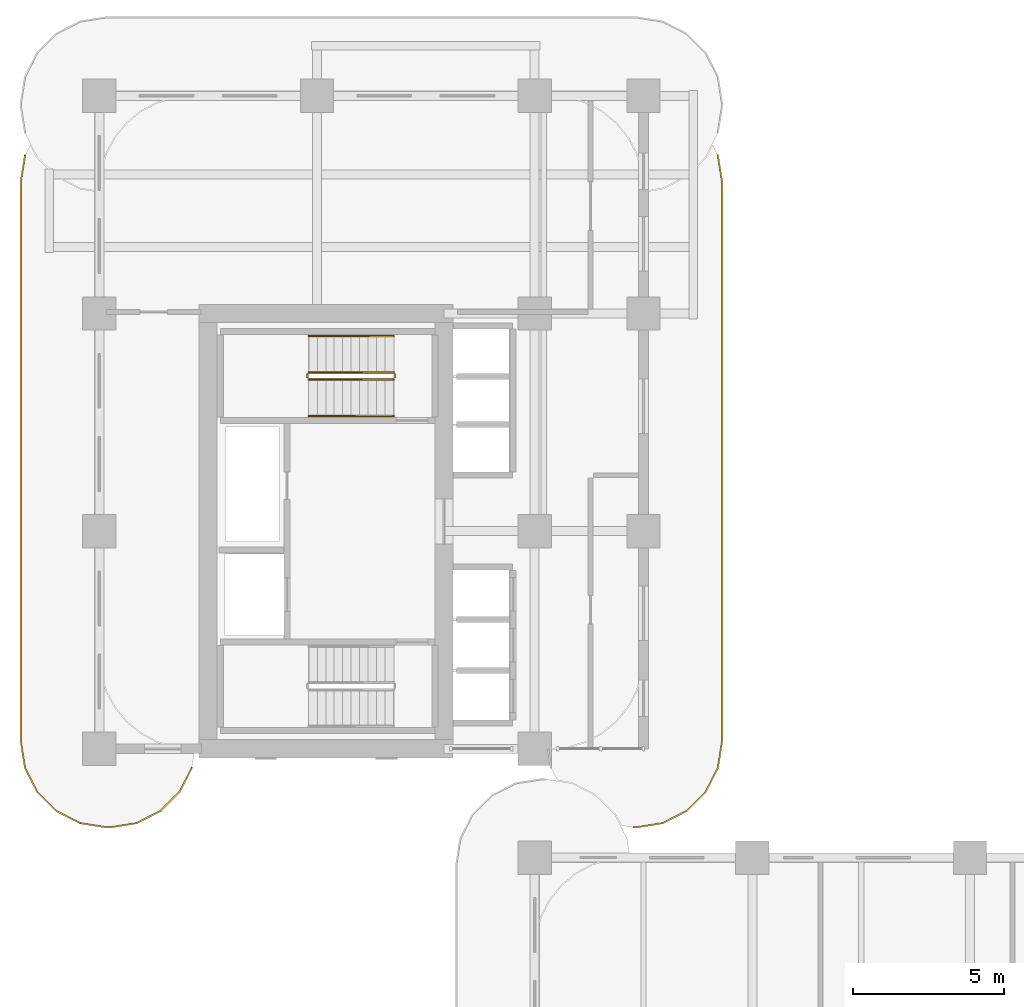
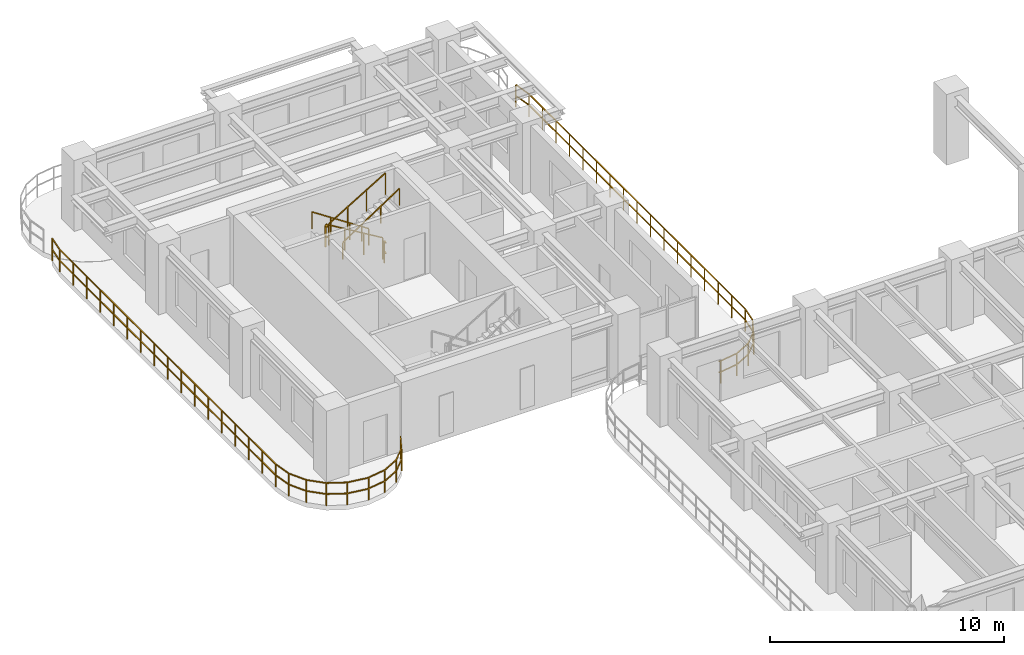
# One storey, part 18 of 19: 8 railings.
"""IFC4 building model written with IfcOpenShell, lengths in metres."""

import ifcopenshell
import ifcopenshell.guid

model = None  # the IFC model being written
_history = None  # IfcOwnerHistory: only IFC2X3 demands one
_inside = {}  # id of a spatial element -> (the spatial element, [elements in it])
_under = {}  # id of a project, library or spatial element -> (it, [spatial elements below it])
_declared = {}  # id of a project -> (the project, [libraries it declares])
_typed = {}  # id of a type object -> (the type object, [elements of that type])
_made_of = {}  # id of a material, layer set ... -> (it, [elements and type objects made of it])


def new_model(schema):
    """Start an empty IFC model of exactly this schema.

    Asked for "IFC4X3", IfcOpenShell would pick the latest addendum, in which some entities
    have other attributes; the version numbers below select the first issue.
    IFC2X3 requires an IfcOwnerHistory on every rooted entity: one is made here for all.
    """
    global model, _history
    if schema == "IFC4X3":
        model = ifcopenshell.file(schema_version=(4, 3, 0, 0))
    else:
        model = ifcopenshell.file(schema=schema)
    _inside.clear()
    _under.clear()
    _declared.clear()
    _typed.clear()
    _made_of.clear()
    _history = None
    if model.schema == "IFC2X3":
        org = make("IfcOrganization", Name="unknown")
        user = make(
            "IfcPersonAndOrganization",
            ThePerson=make("IfcPerson", FamilyName="unknown"),
            TheOrganization=org,
        )
        app = make(
            "IfcApplication",
            ApplicationDeveloper=org,
            Version="unknown",
            ApplicationFullName="unknown",
            ApplicationIdentifier="unknown",
        )
        _history = make(
            "IfcOwnerHistory",
            OwningUser=user,
            OwningApplication=app,
            ChangeAction="ADDED",
            CreationDate=0,
        )
    return model


def make(cls, **values):
    """One entity of the class cls with the attributes given. An attribute that is None is left unset."""
    return model.create_entity(
        cls, **{name: value for name, value in values.items() if value is not None}
    )


def rooted(cls, **values):
    """An entity with a GlobalId (a new one), such as an element, a storey or a relation."""
    return make(cls, GlobalId=ifcopenshell.guid.new(), OwnerHistory=_history, **values)


def si_unit(unit_type, name, prefix=None):
    """IfcSIUnit, for example si_unit("LENGTHUNIT", "METRE", prefix="MILLI")."""
    return make("IfcSIUnit", UnitType=unit_type, Prefix=prefix, Name=name)


def derived_unit(unit_type, elements):
    """IfcDerivedUnit: a product of units, each with its exponent."""
    return make(
        "IfcDerivedUnit",
        Elements=[
            make("IfcDerivedUnitElement", Unit=unit, Exponent=power)
            for unit, power in elements
        ],
        UnitType=unit_type,
    )


def assignment(units):
    """IfcUnitAssignment: the units of a project."""
    return None if units is None else make("IfcUnitAssignment", Units=units)


def point(xyz):
    """IfcCartesianPoint."""
    return None if xyz is None else make("IfcCartesianPoint", Coordinates=xyz)


def direction(xyz):
    """IfcDirection."""
    return None if xyz is None else make("IfcDirection", DirectionRatios=xyz)


def frame(location, z_axis=None, x_axis=None):
    """IfcAxis2Placement3D, a coordinate frame: its origin and axes. An axis left out is left unset."""
    return make(
        "IfcAxis2Placement3D",
        Location=point(location),
        Axis=direction(z_axis),
        RefDirection=direction(x_axis),
    )


def frame_2d(location, x_axis=None):
    """IfcAxis2Placement2D, a coordinate frame in the plane: its origin and x axis."""
    return make(
        "IfcAxis2Placement2D", Location=point(location), RefDirection=direction(x_axis)
    )


def origin():
    """The frame at (0, 0, 0) with its axes left unset."""
    return frame((0.0, 0.0, 0.0))


def origin_2d():
    """The frame at (0, 0) in the plane with its x axis left unset."""
    return frame_2d((0.0, 0.0))


def place(relative_to, where):
    """IfcLocalPlacement: puts the frame where relative to a parent placement (None: the world)."""
    return make(
        "IfcLocalPlacement", PlacementRelTo=relative_to, RelativePlacement=where
    )


def context(
    kind, dimensions, precision=None, world=None, true_north=None, identifier=None
):
    """IfcGeometricRepresentationContext, for example the 3D "Model" context."""
    return make(
        "IfcGeometricRepresentationContext",
        ContextIdentifier=identifier,
        ContextType=kind,
        CoordinateSpaceDimension=dimensions,
        Precision=precision,
        WorldCoordinateSystem=world,
        TrueNorth=true_north,
    )


def subcontext(parent, identifier, kind, view, scale=None):
    """IfcGeometricRepresentationSubContext, for example "Body" below "Model"."""
    return make(
        "IfcGeometricRepresentationSubContext",
        ContextIdentifier=identifier,
        ContextType=kind,
        ParentContext=parent,
        TargetScale=scale,
        TargetView=view,
    )


def project(units=None, contexts=None):
    """IfcProject with its units and contexts."""
    return rooted(
        "IfcProject",
        Name="project",
        RepresentationContexts=contexts,
        UnitsInContext=assignment(units),
    )


def spatial(cls, under=None, at=None, **own):
    """A site, building, storey or space (cls), placed at a placement, below another one or the project."""
    s = rooted(cls, ObjectPlacement=at, **own)
    if under is not None:
        _under.setdefault(under.id(), (under, []))[1].append(s)
    return s


def profile(cls, at=None, kind="AREA", **sizes):
    """A parametric profile (cls). Its sizes go by their IFC names, for example OverallWidth=200.0."""
    return make(cls, ProfileType=kind, Position=at, **sizes)


def rectangle(**sizes):
    """IfcRectangleProfileDef."""
    return profile("IfcRectangleProfileDef", **sizes)


def extrude(swept, where, along, depth):
    """IfcExtrudedAreaSolid: the profile swept, set in the frame where, extruded along a direction by depth."""
    return make(
        "IfcExtrudedAreaSolid",
        SweptArea=swept,
        Position=where,
        ExtrudedDirection=direction(along),
        Depth=depth,
    )


def shape(context_of_items, identifier, shape_type, items):
    """IfcShapeRepresentation: the items that make up one representation, for example the "Body"."""
    return make(
        "IfcShapeRepresentation",
        ContextOfItems=context_of_items,
        RepresentationIdentifier=identifier,
        RepresentationType=shape_type,
        Items=items,
    )


def material(Name=None, Category=None):
    """IfcMaterial."""
    return make("IfcMaterial", Name=Name, Category=Category)


def made_of(thing, what):
    """Note that an element or type object is made of a material, layer set ...; save() writes the relation."""
    if what is not None:
        _made_of.setdefault(what.id(), (what, []))[1].append(thing)
    return thing


def type_object(cls, material=None, **own):
    """A type object (cls), such as IfcWallType, which elements share."""
    return made_of(rooted(cls, **own), material)


def element(
    cls,
    number,
    at=None,
    inside=None,
    cuts=None,
    type_object=None,
    material=None,
    context=None,
    identifier="Body",
    shape_type=None,
    held_by="IfcProductDefinitionShape",
    body=None,
    shapes=None,
    **own,
):
    """One element of the class cls, such as IfcWall. Its Tag is "e" and its number.

    at: its placement. inside: the storey or other place that contains it. cuts: it is an
    opening in that element (IfcRelVoidsElement). A single representation is given by context,
    identifier, shape_type and body (its items); several are given by shapes. held_by: the class
    of the entity that holds the representations. save() writes the other relations.
    """
    e = rooted(cls, Tag="e%d" % number, ObjectPlacement=at, **own)
    if body is not None:
        shapes = [shape(context, identifier, shape_type, body)]
    if shapes is not None:
        e.Representation = make(held_by, Representations=shapes)
    if inside is not None:
        _inside.setdefault(inside.id(), (inside, []))[1].append(e)
    if cuts is not None:
        rooted(
            "IfcRelVoidsElement", RelatingBuildingElement=cuts, RelatedOpeningElement=e
        )
    if type_object is not None:
        _typed.setdefault(type_object.id(), (type_object, []))[1].append(e)
    return made_of(e, material)


def aggregate(whole, parts):
    """IfcRelAggregates: a whole, such as a stair, and the parts it consists of."""
    return rooted("IfcRelAggregates", RelatingObject=whole, RelatedObjects=parts)


def save(model, path):
    """Write the relations noted so far, then the file.

    IfcRelAggregates (storeys below a building ...), IfcRelContainedInSpatialStructure (elements
    in a storey), IfcRelDefinesByType, IfcRelAssociatesMaterial and IfcRelDeclares: one each for
    every whole, place, type object, material and project.
    """
    for whole, parts in _under.values():
        aggregate(whole, parts)
    for where, things in _inside.values():
        rooted(
            "IfcRelContainedInSpatialStructure",
            RelatedElements=things,
            RelatingStructure=where,
        )
    for kind, things in _typed.values():
        rooted("IfcRelDefinesByType", RelatedObjects=things, RelatingType=kind)
    for what, things in _made_of.values():
        rooted("IfcRelAssociatesMaterial", RelatedObjects=things, RelatingMaterial=what)
    for by, libraries in _declared.values():
        rooted("IfcRelDeclares", RelatingContext=by, RelatedDefinitions=libraries)
    model.write(path)


model = new_model("IFC4")

# Units and contexts
model_context = context("Model", 3, precision=1e-05, world=origin(), true_north=direction((0.0, 1.0)))
body_context = subcontext(model_context, "Body", "Model", "MODEL_VIEW")
ifc_project = project(units=[si_unit("LENGTHUNIT", "METRE"), si_unit("AREAUNIT", "SQUARE_METRE"), si_unit("VOLUMEUNIT", "CUBIC_METRE"), si_unit("PLANEANGLEUNIT", "RADIAN"), si_unit("MASSUNIT", "GRAM", prefix="KILO"), si_unit("THERMODYNAMICTEMPERATUREUNIT", "KELVIN"), si_unit("POWERUNIT", "WATT"), derived_unit("THERMALTRANSMITTANCEUNIT", [(si_unit("POWERUNIT", "WATT"), 1), (si_unit("AREAUNIT", "SQUARE_METRE"), -1), (si_unit("THERMODYNAMICTEMPERATUREUNIT", "KELVIN"), -1)])], contexts=[model_context])

# Site, building, storey
site_placement = place(None, origin())
site = spatial("IfcSite", under=ifc_project, at=site_placement, CompositionType="ELEMENT")
building_placement = place(site_placement, origin())
building = spatial("IfcBuilding", under=site, at=building_placement, Name="Zahravan Archway Hotel and Residences", CompositionType="ELEMENT")
storey_placement = place(building_placement, frame((0.0, 0.0, 62.0)))
storey = spatial("IfcBuildingStorey", under=building, at=storey_placement, Name="L14", CompositionType="ELEMENT", Elevation=62.0)

# Railings
ifc_material_1 = material(Name="Bronze & Laminated Glass Balustrade", Category="glass")
railing_type_1 = type_object("IfcRailingType", Name="RL-BAL-1200", PredefinedType="BALUSTRADE", material=ifc_material_1)
railing_1_placement = place(storey_placement, frame((3.060546875, 24.5693359375, 0.0)))
element("IfcRailing", 1, at=railing_1_placement, inside=storey, type_object=railing_type_1, Name="L14 Balustrade RL-SLB-BAL-L14-WB-1", PredefinedType="BALUSTRADE", context=body_context, shape_type="SweptSolid", body=[
    extrude(rectangle(XDim=0.048095703125, YDim=0.048095703125, at=origin_2d()), frame((0.0, 0.0, 1.17578125), z_axis=(-0.453991409995, -0.891006060389, 0.0), x_axis=(0.891006060389, -0.453991409995, 0.0)), (0.0, 0.0, 1.0), 0.8916015625),
    extrude(rectangle(XDim=0.048095703125, YDim=0.048095703125, at=origin_2d()), frame((0.0, 0.0, 0.60009765625), z_axis=(-0.453991409995, -0.891006060389, 0.0), x_axis=(0.891006060389, -0.453991409995, 0.0)), (0.0, 0.0, 1.0), 0.8916015625),
    extrude(rectangle(XDim=0.048095703125, YDim=0.048095703125, at=origin_2d()), frame((-0.40478515625, -0.79443359375, 1.17578125), z_axis=(-0.707106781187, -0.707106781187, 0.0), x_axis=(0.707106781187, -0.707106781187, 0.0)), (0.0, 0.0, 1.0), 0.891845703125),
    extrude(rectangle(XDim=0.048095703125, YDim=0.048095703125, at=origin_2d()), frame((-0.40478515625, -0.79443359375, 0.60009765625), z_axis=(-0.707106781187, -0.707106781187, 0.0), x_axis=(0.707106781187, -0.707106781187, 0.0)), (0.0, 0.0, 1.0), 0.891845703125),
    extrude(rectangle(XDim=0.048095703125, YDim=0.048095703125, at=origin_2d()), frame((-1.035400390625, -1.425048828125, 1.17578125), z_axis=(-0.891006060389, -0.453991409995, 0.0), x_axis=(0.453991409995, -0.891006060389, 0.0)), (0.0, 0.0, 1.0), 0.8916015625),
    extrude(rectangle(XDim=0.048095703125, YDim=0.048095703125, at=origin_2d()), frame((-1.035400390625, -1.425048828125, 0.60009765625), z_axis=(-0.891006060389, -0.453991409995, 0.0), x_axis=(0.453991409995, -0.891006060389, 0.0)), (0.0, 0.0, 1.0), 0.8916015625),
    extrude(rectangle(XDim=0.048095703125, YDim=0.048095703125, at=origin_2d()), frame((-1.829833984375, -1.829833984375, 1.17578125), z_axis=(-0.987700720307, -0.156356282588, 0.0), x_axis=(0.156356282588, -0.987700720307, 0.0)), (0.0, 0.0, 1.0), 0.8916015625),
    extrude(rectangle(XDim=0.048095703125, YDim=0.048095703125, at=origin_2d()), frame((-1.829833984375, -1.829833984375, 0.60009765625), z_axis=(-0.987700720307, -0.156356282588, 0.0), x_axis=(0.156356282588, -0.987700720307, 0.0)), (0.0, 0.0, 1.0), 0.8916015625),
    extrude(rectangle(XDim=0.048095703125, YDim=0.048095703125, at=origin_2d()), frame((-2.71044921875, -1.96923828125, 1.17578125), z_axis=(-1.0, 0.0, 0.0), x_axis=(0.0, -1.0, 0.0)), (0.0, 0.0, 1.0), 0.10009765625),
    extrude(rectangle(XDim=0.048095703125, YDim=0.048095703125, at=origin_2d()), frame((-2.71044921875, -1.96923828125, 0.60009765625), z_axis=(-1.0, 0.0, 0.0), x_axis=(0.0, -1.0, 0.0)), (0.0, 0.0, 1.0), 0.10009765625),
    extrude(rectangle(XDim=0.048095703125, YDim=0.048095703125, at=origin_2d()), frame((-2.810546875, -1.96923828125, 1.17578125), z_axis=(-0.987700720307, 0.156356282588, 0.0), x_axis=(-0.156356282588, -0.987700720307, 0.0)), (0.0, 0.0, 1.0), 0.8916015625),
    extrude(rectangle(XDim=0.048095703125, YDim=0.048095703125, at=origin_2d()), frame((-2.810546875, -1.96923828125, 0.60009765625), z_axis=(-0.987700720307, 0.156356282588, 0.0), x_axis=(-0.156356282588, -0.987700720307, 0.0)), (0.0, 0.0, 1.0), 0.8916015625),
    extrude(rectangle(XDim=0.048095703125, YDim=0.048095703125, at=origin_2d()), frame((-3.691162109375, -1.829833984375, 1.17578125), z_axis=(-0.891062476022, 0.45388067135, 0.0), x_axis=(-0.45388067135, -0.891062476022, 0.0)), (0.0, 0.0, 1.0), 0.891845703125),
    extrude(rectangle(XDim=0.048095703125, YDim=0.048095703125, at=origin_2d()), frame((-3.691162109375, -1.829833984375, 0.60009765625), z_axis=(-0.891062476022, 0.45388067135, 0.0), x_axis=(-0.45388067135, -0.891062476022, 0.0)), (0.0, 0.0, 1.0), 0.891845703125),
    extrude(rectangle(XDim=0.048095703125, YDim=0.048095703125, at=origin_2d()), frame((-4.48583984375, -1.425048828125, 1.17578125), z_axis=(-0.706969864397, 0.70724367147, 0.0), x_axis=(-0.70724367147, -0.706969864397, 0.0)), (0.0, 0.0, 1.0), 0.8916015625),
    extrude(rectangle(XDim=0.048095703125, YDim=0.048095703125, at=origin_2d()), frame((-4.48583984375, -1.425048828125, 0.60009765625), z_axis=(-0.706969864397, 0.70724367147, 0.0), x_axis=(-0.70724367147, -0.706969864397, 0.0)), (0.0, 0.0, 1.0), 0.8916015625),
    extrude(rectangle(XDim=0.048095703125, YDim=0.048095703125, at=origin_2d()), frame((-5.1162109375, -0.79443359375, 1.17578125), z_axis=(-0.453991409995, 0.891006060389, 0.0), x_axis=(-0.891006060389, -0.453991409995, 0.0)), (0.0, 0.0, 1.0), 0.8916015625),
    extrude(rectangle(XDim=0.048095703125, YDim=0.048095703125, at=origin_2d()), frame((-5.1162109375, -0.79443359375, 0.60009765625), z_axis=(-0.453991409995, 0.891006060389, 0.0), x_axis=(-0.891006060389, -0.453991409995, 0.0)), (0.0, 0.0, 1.0), 0.8916015625),
    extrude(rectangle(XDim=0.048095703125, YDim=0.048095703125, at=origin_2d()), frame((-5.52099609375, 0.0, 1.17578125), z_axis=(-0.156623399917, 0.987658397726, 0.0), x_axis=(-0.987658397726, -0.156623399917, 0.0)), (0.0, 0.0, 1.0), 0.8916015625),
    extrude(rectangle(XDim=0.048095703125, YDim=0.048095703125, at=origin_2d()), frame((-5.52099609375, 0.0, 0.60009765625), z_axis=(-0.156623399917, 0.987658397726, 0.0), x_axis=(-0.987658397726, -0.156623399917, 0.0)), (0.0, 0.0, 1.0), 0.8916015625),
    extrude(rectangle(XDim=0.048095703125, YDim=0.048095703125, at=origin_2d()), frame((-5.66064453125, 0.880615234375, 1.17578125), z_axis=(0.0, 1.0, 0.0), x_axis=(-1.0, 0.0, 0.0)), (0.0, 0.0, 1.0), 18.5),
    extrude(rectangle(XDim=0.048095703125, YDim=0.048095703125, at=origin_2d()), frame((-5.66064453125, 0.880615234375, 0.60009765625), z_axis=(0.0, 1.0, 0.0), x_axis=(-1.0, 0.0, 0.0)), (0.0, 0.0, 1.0), 18.5),
    extrude(rectangle(XDim=0.048095703125, YDim=0.048095703125, at=origin_2d()), frame((-5.66064453125, 19.380615234375, 1.17578125), z_axis=(0.156581054338, 0.98766511198, 0.0), x_axis=(-0.98766511198, 0.156581054338, 0.0)), (0.0, 0.0, 1.0), 0.891845703125),
    extrude(rectangle(XDim=0.048095703125, YDim=0.048095703125, at=origin_2d()), frame((-5.66064453125, 19.380615234375, 0.60009765625), z_axis=(0.156581054338, 0.98766511198, 0.0), x_axis=(-0.98766511198, 0.156581054338, 0.0)), (0.0, 0.0, 1.0), 0.891845703125),
    extrude(rectangle(XDim=0.0419921875, YDim=0.0419921875, at=origin_2d()), origin(), (0.0, 0.0, 1.0), 1.15185546875),
    extrude(rectangle(XDim=0.0419921875, YDim=0.0419921875, at=origin_2d()), frame((-0.40478515625, -0.79443359375, 0.0)), (0.0, 0.0, 1.0), 1.15185546875),
    extrude(rectangle(XDim=0.0419921875, YDim=0.0419921875, at=origin_2d()), frame((-1.035400390625, -1.425048828125, 0.0)), (0.0, 0.0, 1.0), 1.15185546875),
    extrude(rectangle(XDim=0.0419921875, YDim=0.0419921875, at=origin_2d()), frame((-1.829833984375, -1.829833984375, 0.0)), (0.0, 0.0, 1.0), 1.15185546875),
    extrude(rectangle(XDim=0.0419921875, YDim=0.0419921875, at=origin_2d()), frame((-2.71044921875, -1.96923828125, 0.0)), (0.0, 0.0, 1.0), 1.15185546875),
    extrude(rectangle(XDim=0.0419921875, YDim=0.0419921875, at=origin_2d()), frame((-3.691162109375, -1.829833984375, 0.0)), (0.0, 0.0, 1.0), 1.15185546875),
    extrude(rectangle(XDim=0.0419921875, YDim=0.0419921875, at=origin_2d()), frame((-4.48583984375, -1.425048828125, 0.0)), (0.0, 0.0, 1.0), 1.15185546875),
    extrude(rectangle(XDim=0.0419921875, YDim=0.0419921875, at=origin_2d()), frame((-5.1162109375, -0.79443359375, 0.0)), (0.0, 0.0, 1.0), 1.15185546875),
    extrude(rectangle(XDim=0.0419921875, YDim=0.0419921875, at=origin_2d()), frame((-5.52099609375, 0.0, 0.0)), (0.0, 0.0, 1.0), 1.15185546875),
    extrude(rectangle(XDim=0.0419921875, YDim=0.0419921875, at=origin_2d()), frame((-5.66064453125, 0.880615234375, 0.0)), (0.0, 0.0, 1.0), 1.15185546875),
    extrude(rectangle(XDim=0.0419921875, YDim=0.0419921875, at=origin_2d()), frame((-5.66064453125, 2.036865234375, 0.0)), (0.0, 0.0, 1.0), 1.15185546875),
    extrude(rectangle(XDim=0.0419921875, YDim=0.0419921875, at=origin_2d()), frame((-5.66064453125, 3.193115234375, 0.0)), (0.0, 0.0, 1.0), 1.15185546875),
    extrude(rectangle(XDim=0.0419921875, YDim=0.0419921875, at=origin_2d()), frame((-5.66064453125, 4.349365234375, 0.0)), (0.0, 0.0, 1.0), 1.15185546875),
    extrude(rectangle(XDim=0.0419921875, YDim=0.0419921875, at=origin_2d()), frame((-5.66064453125, 5.505615234375, 0.0)), (0.0, 0.0, 1.0), 1.15185546875),
    extrude(rectangle(XDim=0.0419921875, YDim=0.0419921875, at=origin_2d()), frame((-5.66064453125, 6.661865234375, 0.0)), (0.0, 0.0, 1.0), 1.15185546875),
    extrude(rectangle(XDim=0.0419921875, YDim=0.0419921875, at=origin_2d()), frame((-5.66064453125, 7.818115234375, 0.0)), (0.0, 0.0, 1.0), 1.15185546875),
    extrude(rectangle(XDim=0.0419921875, YDim=0.0419921875, at=origin_2d()), frame((-5.66064453125, 8.974365234375, 0.0)), (0.0, 0.0, 1.0), 1.15185546875),
    extrude(rectangle(XDim=0.0419921875, YDim=0.0419921875, at=origin_2d()), frame((-5.66064453125, 10.130615234375, 0.0)), (0.0, 0.0, 1.0), 1.15185546875),
    extrude(rectangle(XDim=0.0419921875, YDim=0.0419921875, at=origin_2d()), frame((-5.66064453125, 11.286865234375, 0.0)), (0.0, 0.0, 1.0), 1.15185546875),
    extrude(rectangle(XDim=0.0419921875, YDim=0.0419921875, at=origin_2d()), frame((-5.66064453125, 12.443115234375, 0.0)), (0.0, 0.0, 1.0), 1.15185546875),
    extrude(rectangle(XDim=0.0419921875, YDim=0.0419921875, at=origin_2d()), frame((-5.66064453125, 13.599365234375, 0.0)), (0.0, 0.0, 1.0), 1.15185546875),
    extrude(rectangle(XDim=0.0419921875, YDim=0.0419921875, at=origin_2d()), frame((-5.66064453125, 14.755615234375, 0.0)), (0.0, 0.0, 1.0), 1.15185546875),
    extrude(rectangle(XDim=0.0419921875, YDim=0.0419921875, at=origin_2d()), frame((-5.66064453125, 15.911865234375, 0.0)), (0.0, 0.0, 1.0), 1.15185546875),
    extrude(rectangle(XDim=0.0419921875, YDim=0.0419921875, at=origin_2d()), frame((-5.66064453125, 17.068115234375, 0.0)), (0.0, 0.0, 1.0), 1.15185546875),
    extrude(rectangle(XDim=0.0419921875, YDim=0.0419921875, at=origin_2d()), frame((-5.66064453125, 18.224365234375, 0.0)), (0.0, 0.0, 1.0), 1.15185546875),
    extrude(rectangle(XDim=0.0419921875, YDim=0.0419921875, at=origin_2d()), frame((-5.66064453125, 19.380615234375, 0.0)), (0.0, 0.0, 1.0), 1.15185546875),
    extrude(rectangle(XDim=0.0419921875, YDim=0.0419921875, at=origin_2d()), frame((-5.52099609375, 20.261474609375, 0.0)), (0.0, 0.0, 1.0), 1.15185546875),
])
railing_2_placement = place(storey_placement, frame((20.46044921875, 44.830810546875, 0.0)))
element("IfcRailing", 2, at=railing_2_placement, inside=storey, type_object=railing_type_1, Name="L14 Balustrade RL-SLB-BAL-L14-EB-2", PredefinedType="BALUSTRADE", context=body_context, shape_type="SweptSolid", body=[
    extrude(rectangle(XDim=0.048095703125, YDim=0.048095703125, at=origin_2d()), frame((0.0, 0.0, 1.17578125), z_axis=(0.156581054338, -0.98766511198, 0.0), x_axis=(0.98766511198, 0.156581054338, 0.0)), (0.0, 0.0, 1.0), 0.891845703125),
    extrude(rectangle(XDim=0.048095703125, YDim=0.048095703125, at=origin_2d()), frame((0.0, 0.0, 0.60009765625), z_axis=(0.156581054338, -0.98766511198, 0.0), x_axis=(0.98766511198, 0.156581054338, 0.0)), (0.0, 0.0, 1.0), 0.891845703125),
    extrude(rectangle(XDim=0.048095703125, YDim=0.048095703125, at=origin_2d()), frame((0.1396484375, -0.880859375, 1.17578125), z_axis=(0.0, -1.0, 0.0), x_axis=(1.0, 0.0, 0.0)), (0.0, 0.0, 1.0), 18.5),
    extrude(rectangle(XDim=0.048095703125, YDim=0.048095703125, at=origin_2d()), frame((0.1396484375, -0.880859375, 0.60009765625), z_axis=(0.0, -1.0, 0.0), x_axis=(1.0, 0.0, 0.0)), (0.0, 0.0, 1.0), 18.5),
    extrude(rectangle(XDim=0.048095703125, YDim=0.048095703125, at=origin_2d()), frame((0.1396484375, -19.380859375, 1.17578125), z_axis=(-0.156623399917, -0.987658397726, 0.0), x_axis=(0.987658397726, -0.156623399917, 0.0)), (0.0, 0.0, 1.0), 0.8916015625),
    extrude(rectangle(XDim=0.048095703125, YDim=0.048095703125, at=origin_2d()), frame((0.1396484375, -19.380859375, 0.60009765625), z_axis=(-0.156623399917, -0.987658397726, 0.0), x_axis=(0.987658397726, -0.156623399917, 0.0)), (0.0, 0.0, 1.0), 0.8916015625),
    extrude(rectangle(XDim=0.048095703125, YDim=0.048095703125, at=origin_2d()), frame((0.0, -20.261474609375, 1.17578125), z_axis=(-0.453991409995, -0.891006060389, 0.0), x_axis=(0.891006060389, -0.453991409995, 0.0)), (0.0, 0.0, 1.0), 0.8916015625),
    extrude(rectangle(XDim=0.048095703125, YDim=0.048095703125, at=origin_2d()), frame((0.0, -20.261474609375, 0.60009765625), z_axis=(-0.453991409995, -0.891006060389, 0.0), x_axis=(0.891006060389, -0.453991409995, 0.0)), (0.0, 0.0, 1.0), 0.8916015625),
    extrude(rectangle(XDim=0.048095703125, YDim=0.048095703125, at=origin_2d()), frame((-0.40478515625, -21.055908203125, 1.17578125), z_axis=(-0.706969864397, -0.70724367147, 0.0), x_axis=(0.70724367147, -0.706969864397, 0.0)), (0.0, 0.0, 1.0), 0.8916015625),
    extrude(rectangle(XDim=0.048095703125, YDim=0.048095703125, at=origin_2d()), frame((-0.40478515625, -21.055908203125, 0.60009765625), z_axis=(-0.706969864397, -0.70724367147, 0.0), x_axis=(0.70724367147, -0.706969864397, 0.0)), (0.0, 0.0, 1.0), 0.8916015625),
    extrude(rectangle(XDim=0.048095703125, YDim=0.048095703125, at=origin_2d()), frame((-1.03515625, -21.6865234375, 1.17578125), z_axis=(-0.891062476022, -0.45388067135, 0.0), x_axis=(0.45388067135, -0.891062476022, 0.0)), (0.0, 0.0, 1.0), 0.891845703125),
    extrude(rectangle(XDim=0.048095703125, YDim=0.048095703125, at=origin_2d()), frame((-1.03515625, -21.6865234375, 0.60009765625), z_axis=(-0.891062476022, -0.45388067135, 0.0), x_axis=(0.45388067135, -0.891062476022, 0.0)), (0.0, 0.0, 1.0), 0.891845703125),
    extrude(rectangle(XDim=0.048095703125, YDim=0.048095703125, at=origin_2d()), frame((-1.829833984375, -22.09130859375, 1.17578125), z_axis=(-0.987700720307, -0.156356282588, 0.0), x_axis=(0.156356282588, -0.987700720307, 0.0)), (0.0, 0.0, 1.0), 0.8916015625),
    extrude(rectangle(XDim=0.048095703125, YDim=0.048095703125, at=origin_2d()), frame((-1.829833984375, -22.09130859375, 0.60009765625), z_axis=(-0.987700720307, -0.156356282588, 0.0), x_axis=(0.156356282588, -0.987700720307, 0.0)), (0.0, 0.0, 1.0), 0.8916015625),
    extrude(rectangle(XDim=0.048095703125, YDim=0.048095703125, at=origin_2d()), frame((-2.71044921875, -22.230712890625, 1.17578125), z_axis=(-1.0, 0.0, 0.0), x_axis=(0.0, -1.0, 0.0)), (0.0, 0.0, 1.0), 0.10009765625),
    extrude(rectangle(XDim=0.048095703125, YDim=0.048095703125, at=origin_2d()), frame((-2.71044921875, -22.230712890625, 0.60009765625), z_axis=(-1.0, 0.0, 0.0), x_axis=(0.0, -1.0, 0.0)), (0.0, 0.0, 1.0), 0.10009765625),
    extrude(rectangle(XDim=0.0419921875, YDim=0.0419921875, at=origin_2d()), origin(), (0.0, 0.0, 1.0), 1.15185546875),
    extrude(rectangle(XDim=0.0419921875, YDim=0.0419921875, at=origin_2d()), frame((0.1396484375, -0.880859375, 0.0)), (0.0, 0.0, 1.0), 1.15185546875),
    extrude(rectangle(XDim=0.0419921875, YDim=0.0419921875, at=origin_2d()), frame((0.1396484375, -2.037109375, 0.0)), (0.0, 0.0, 1.0), 1.15185546875),
    extrude(rectangle(XDim=0.0419921875, YDim=0.0419921875, at=origin_2d()), frame((0.1396484375, -3.193359375, 0.0)), (0.0, 0.0, 1.0), 1.15185546875),
    extrude(rectangle(XDim=0.0419921875, YDim=0.0419921875, at=origin_2d()), frame((0.1396484375, -4.349609375, 0.0)), (0.0, 0.0, 1.0), 1.15185546875),
    extrude(rectangle(XDim=0.0419921875, YDim=0.0419921875, at=origin_2d()), frame((0.1396484375, -5.505859375, 0.0)), (0.0, 0.0, 1.0), 1.15185546875),
    extrude(rectangle(XDim=0.0419921875, YDim=0.0419921875, at=origin_2d()), frame((0.1396484375, -6.662109375, 0.0)), (0.0, 0.0, 1.0), 1.15185546875),
    extrude(rectangle(XDim=0.0419921875, YDim=0.0419921875, at=origin_2d()), frame((0.1396484375, -7.818359375, 0.0)), (0.0, 0.0, 1.0), 1.15185546875),
    extrude(rectangle(XDim=0.0419921875, YDim=0.0419921875, at=origin_2d()), frame((0.1396484375, -8.974609375, 0.0)), (0.0, 0.0, 1.0), 1.15185546875),
    extrude(rectangle(XDim=0.0419921875, YDim=0.0419921875, at=origin_2d()), frame((0.1396484375, -10.130859375, 0.0)), (0.0, 0.0, 1.0), 1.15185546875),
    extrude(rectangle(XDim=0.0419921875, YDim=0.0419921875, at=origin_2d()), frame((0.1396484375, -11.287109375, 0.0)), (0.0, 0.0, 1.0), 1.15185546875),
    extrude(rectangle(XDim=0.0419921875, YDim=0.0419921875, at=origin_2d()), frame((0.1396484375, -12.443359375, 0.0)), (0.0, 0.0, 1.0), 1.15185546875),
    extrude(rectangle(XDim=0.0419921875, YDim=0.0419921875, at=origin_2d()), frame((0.1396484375, -13.599609375, 0.0)), (0.0, 0.0, 1.0), 1.15185546875),
    extrude(rectangle(XDim=0.0419921875, YDim=0.0419921875, at=origin_2d()), frame((0.1396484375, -14.755859375, 0.0)), (0.0, 0.0, 1.0), 1.15185546875),
    extrude(rectangle(XDim=0.0419921875, YDim=0.0419921875, at=origin_2d()), frame((0.1396484375, -15.912109375, 0.0)), (0.0, 0.0, 1.0), 1.15185546875),
    extrude(rectangle(XDim=0.0419921875, YDim=0.0419921875, at=origin_2d()), frame((0.1396484375, -17.068359375, 0.0)), (0.0, 0.0, 1.0), 1.15185546875),
    extrude(rectangle(XDim=0.0419921875, YDim=0.0419921875, at=origin_2d()), frame((0.1396484375, -18.224609375, 0.0)), (0.0, 0.0, 1.0), 1.15185546875),
    extrude(rectangle(XDim=0.0419921875, YDim=0.0419921875, at=origin_2d()), frame((0.1396484375, -19.380859375, 0.0)), (0.0, 0.0, 1.0), 1.15185546875),
    extrude(rectangle(XDim=0.0419921875, YDim=0.0419921875, at=origin_2d()), frame((0.0, -20.261474609375, 0.0)), (0.0, 0.0, 1.0), 1.15185546875),
    extrude(rectangle(XDim=0.0419921875, YDim=0.0419921875, at=origin_2d()), frame((-0.40478515625, -21.055908203125, 0.0)), (0.0, 0.0, 1.0), 1.15185546875),
    extrude(rectangle(XDim=0.0419921875, YDim=0.0419921875, at=origin_2d()), frame((-1.03515625, -21.6865234375, 0.0)), (0.0, 0.0, 1.0), 1.15185546875),
    extrude(rectangle(XDim=0.0419921875, YDim=0.0419921875, at=origin_2d()), frame((-1.829833984375, -22.09130859375, 0.0)), (0.0, 0.0, 1.0), 1.15185546875),
    extrude(rectangle(XDim=0.0419921875, YDim=0.0419921875, at=origin_2d()), frame((-2.71044921875, -22.230712890625, 0.0)), (0.0, 0.0, 1.0), 1.15185546875),
])
ifc_material_2 = material(Name="Painted Tubular Steel", Category="steel")
railing_type_2 = type_object("IfcRailingType", Name="RL-STG-1150", PredefinedType="GUARDRAIL", material=ifc_material_2)
railing_3_placement = place(storey_placement, frame((9.72998046875, 37.64990234375, 0.168212890625)))
element("IfcRailing", 3, at=railing_3_placement, inside=storey, type_object=railing_type_2, Name="L14 ST-B2 stair guard 1", PredefinedType="GUARDRAIL", context=body_context, shape_type="SweptSolid", body=[
    extrude(rectangle(XDim=0.048095703125, YDim=0.048095703125, at=origin_2d()), frame((0.0, 0.0, 1.1259765625), z_axis=(-0.857242210791, 0.0, 0.514913383045), x_axis=(0.0, -1.0, 0.0)), (0.0, 0.0, 1.0), 3.266357421875),
    extrude(rectangle(XDim=0.0419921875, YDim=0.0419921875, at=origin_2d()), origin(), (0.0, 0.0, 1.0), 1.101806640625),
    extrude(rectangle(XDim=0.0419921875, YDim=0.0419921875, at=origin_2d()), frame((-0.933349609375, 0.0, 0.560546875)), (0.0, 0.0, 1.0), 1.101806640625),
    extrude(rectangle(XDim=0.0419921875, YDim=0.0419921875, at=origin_2d()), frame((-1.86669921875, 0.0, 1.121337890625)), (0.0, 0.0, 1.0), 1.101806640625),
    extrude(rectangle(XDim=0.0419921875, YDim=0.0419921875, at=origin_2d()), frame((-2.800048828125, 0.0, 1.681884765625)), (0.0, 0.0, 1.0), 1.101806640625),
])
railing_4_placement = place(storey_placement, frame((6.8798828125, 37.60009765625, 1.85009765625)))
element("IfcRailing", 4, at=railing_4_placement, inside=storey, type_object=railing_type_2, Name="L14 ST-B2 stair guard 2", PredefinedType="GUARDRAIL", context=body_context, shape_type="SweptSolid", body=[
    extrude(rectangle(XDim=0.048095703125, YDim=0.048095703125, at=origin_2d()), frame((0.0, 0.0, 1.1259765625), z_axis=(0.0, -1.0, 0.0), x_axis=(1.0, 0.0, 0.0)), (0.0, 0.0, 1.0), 0.14013671875),
    extrude(rectangle(XDim=0.048095703125, YDim=0.048095703125, at=origin_2d()), frame((0.0, 0.0, 0.574951171875), z_axis=(0.0, -1.0, 0.0), x_axis=(1.0, 0.0, 0.0)), (0.0, 0.0, 1.0), 0.14013671875),
    extrude(rectangle(XDim=0.0419921875, YDim=0.0419921875, at=origin_2d()), origin(), (0.0, 0.0, 1.0), 1.101806640625),
])
railing_5_placement = place(storey_placement, frame((6.929931640625, 37.409912109375, 2.01806640625)))
element("IfcRailing", 5, at=railing_5_placement, inside=storey, type_object=railing_type_2, Name="L14 ST-B2 stair guard 3", PredefinedType="GUARDRAIL", context=body_context, shape_type="SweptSolid", body=[
    extrude(rectangle(XDim=0.048095703125, YDim=0.048095703125, at=origin_2d()), frame((0.0, 0.0, 1.1259765625), z_axis=(0.857242210791, 0.0, 0.514913383045), x_axis=(0.0, 1.0, 0.0)), (0.0, 0.0, 1.0), 3.266357421875),
    extrude(rectangle(XDim=0.0419921875, YDim=0.0419921875, at=origin_2d()), origin(), (0.0, 0.0, 1.0), 1.101806640625),
    extrude(rectangle(XDim=0.0419921875, YDim=0.0419921875, at=origin_2d()), frame((0.933349609375, 0.0, 0.560546875)), (0.0, 0.0, 1.0), 1.101806640625),
    extrude(rectangle(XDim=0.0419921875, YDim=0.0419921875, at=origin_2d()), frame((1.86669921875, 0.0, 1.121337890625)), (0.0, 0.0, 1.0), 1.101806640625),
    extrude(rectangle(XDim=0.0419921875, YDim=0.0419921875, at=origin_2d()), frame((2.800048828125, 0.0, 1.681884765625)), (0.0, 0.0, 1.0), 1.101806640625),
])
railing_6_placement = place(storey_placement, frame((9.780029296875, 37.60009765625, 0.0)))
element("IfcRailing", 6, at=railing_6_placement, inside=storey, type_object=railing_type_2, Name="L14 ST-B2 stair guard 4", PredefinedType="GUARDRAIL", context=body_context, shape_type="SweptSolid", body=[
    extrude(rectangle(XDim=0.048095703125, YDim=0.048095703125, at=origin_2d()), frame((0.0, 0.0, 1.1259765625), z_axis=(0.0, -1.0, 0.0), x_axis=(1.0, 0.0, 0.0)), (0.0, 0.0, 1.0), 0.14013671875),
    extrude(rectangle(XDim=0.048095703125, YDim=0.048095703125, at=origin_2d()), frame((0.0, 0.0, 0.574951171875), z_axis=(0.0, -1.0, 0.0), x_axis=(1.0, 0.0, 0.0)), (0.0, 0.0, 1.0), 0.14013671875),
    extrude(rectangle(XDim=0.0419921875, YDim=0.0419921875, at=origin_2d()), origin(), (0.0, 0.0, 1.0), 1.101806640625),
])
ifc_material_3 = material(Name="Brushed Stainless Steel", Category="steel")
railing_type_3 = type_object("IfcRailingType", Name="RL-STH-900", PredefinedType="HANDRAIL", material=ifc_material_3)
railing_7_placement = place(storey_placement, frame((9.72998046875, 38.85009765625, 0.168212890625)))
element("IfcRailing", 7, at=railing_7_placement, inside=storey, type_object=railing_type_3, Name="L14 ST-B2 stair handrail 1", PredefinedType="HANDRAIL", context=body_context, shape_type="SweptSolid", body=[
    extrude(rectangle(XDim=0.048095703125, YDim=0.048095703125, at=origin_2d()), frame((0.0, 0.0, 0.8759765625), z_axis=(-0.83435981716, 0.0, 0.551220187865), x_axis=(0.0, -1.0, 0.0)), (0.0, 0.0, 1.0), 3.35595703125),
    extrude(rectangle(XDim=0.0419921875, YDim=0.0419921875, at=origin_2d()), origin(), (0.0, 0.0, 1.0), 0.851806640625),
    extrude(rectangle(XDim=0.0419921875, YDim=0.0419921875, at=origin_2d()), frame((-0.933349609375, 0.0, 0.61669921875)), (0.0, 0.0, 1.0), 0.851806640625),
    extrude(rectangle(XDim=0.0419921875, YDim=0.0419921875, at=origin_2d()), frame((-1.86669921875, 0.0, 1.233154296875)), (0.0, 0.0, 1.0), 0.851806640625),
    extrude(rectangle(XDim=0.0419921875, YDim=0.0419921875, at=origin_2d()), frame((-2.800048828125, 0.0, 1.849853515625)), (0.0, 0.0, 1.0), 0.851806640625),
])
railing_8_placement = place(storey_placement, frame((6.929931640625, 36.2099609375, 2.01806640625)))
element("IfcRailing", 8, at=railing_8_placement, inside=storey, type_object=railing_type_3, Name="L14 ST-B2 stair handrail 2", PredefinedType="HANDRAIL", context=body_context, shape_type="SweptSolid", body=[
    extrude(rectangle(XDim=0.048095703125, YDim=0.048095703125, at=origin_2d()), frame((0.0, 0.0, 0.8759765625), z_axis=(0.834326358476, 0.0, 0.551270829586), x_axis=(0.0, 1.0, 0.0)), (0.0, 0.0, 1.0), 3.35595703125),
    extrude(rectangle(XDim=0.0419921875, YDim=0.0419921875, at=origin_2d()), origin(), (0.0, 0.0, 1.0), 0.851806640625),
    extrude(rectangle(XDim=0.0419921875, YDim=0.0419921875, at=origin_2d()), frame((0.933349609375, 0.0, 0.61669921875)), (0.0, 0.0, 1.0), 0.851806640625),
    extrude(rectangle(XDim=0.0419921875, YDim=0.0419921875, at=origin_2d()), frame((1.86669921875, 0.0, 1.2333984375)), (0.0, 0.0, 1.0), 0.851806640625),
    extrude(rectangle(XDim=0.0419921875, YDim=0.0419921875, at=origin_2d()), frame((2.800048828125, 0.0, 1.85009765625)), (0.0, 0.0, 1.0), 0.851806640625),
])

save(model, "model.ifc")
